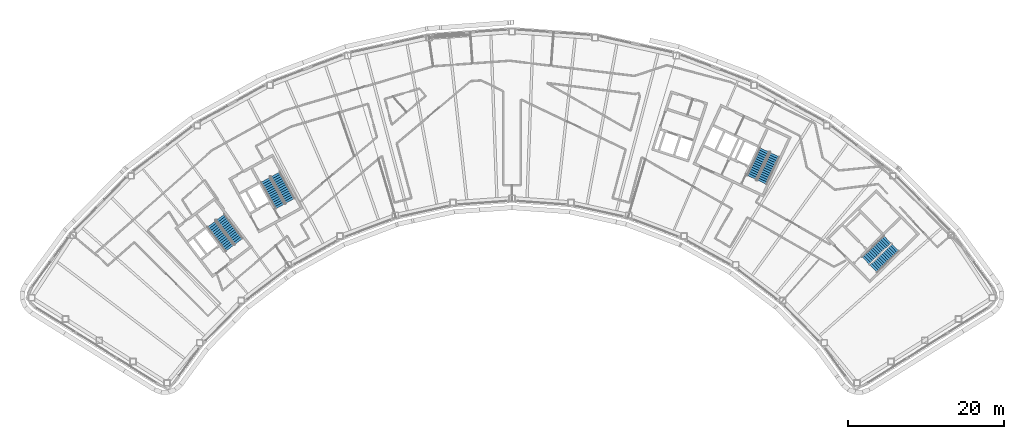
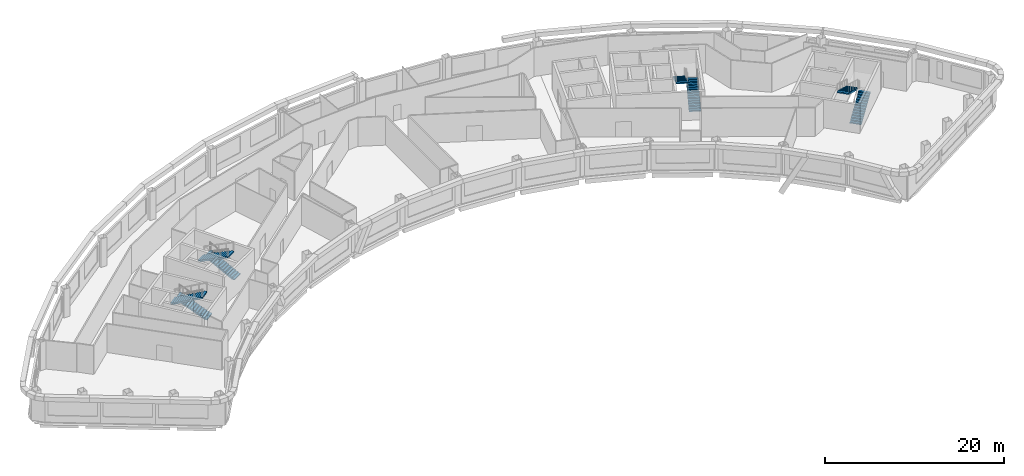
# One storey, part 11 of 13: 8 stair flights, 4 elements without a shape of their own.
"""IFC4 building model written with IfcOpenShell, lengths in metres."""

from ifc_helpers import new_model, si_unit, direction, frame, origin, place, context, subcontext, project, spatial, polyline, outline, extrude, material, type_object, element, aggregate, save


model = new_model("IFC4")

# Units and contexts
model_context = context("Model", 3, precision=1e-05, world=origin(), true_north=direction((0.0, 1.0)))
body_context = subcontext(model_context, "Body", "Model", "MODEL_VIEW")
ifc_project = project(units=[si_unit("LENGTHUNIT", "METRE"), si_unit("AREAUNIT", "SQUARE_METRE"), si_unit("VOLUMEUNIT", "CUBIC_METRE"), si_unit("PLANEANGLEUNIT", "RADIAN"), si_unit("MASSUNIT", "GRAM", prefix="KILO")], contexts=[model_context])

# Site, building, storey
site_placement = place(None, origin())
site = spatial("IfcSite", under=ifc_project, at=site_placement, CompositionType="ELEMENT")
building_placement = place(site_placement, origin())
building = spatial("IfcBuilding", under=site, at=building_placement, Name="Tuul Gate Civic Tower", CompositionType="ELEMENT")
storey_placement = place(building_placement, frame((0.0, 0.0, 340.699951171875)))
storey = spatial("IfcBuildingStorey", under=building, at=storey_placement, Name="Level 77", CompositionType="ELEMENT", Elevation=340.699951171875)

# Stair, stair flights
ifc_material_1 = material(Name="Concrete C40/50", Category="concrete")
stair_type = type_object("IfcStairType", Name="Exit stair", PredefinedType="HALF_TURN_STAIR", material=ifc_material_1)
stair_1_placement = place(storey_placement, origin())
stair_1 = element("IfcStair", 1, at=stair_1_placement, inside=storey, type_object=stair_type, Name="Level 77 ST-1", PredefinedType="HALF_TURN_STAIR")
ifc_material_2 = material(Name="Concrete C40/50", Category="concrete")
stair_flight_type = type_object("IfcStairFlightType", Name="Exit stair flight", PredefinedType="STRAIGHT", material=ifc_material_2)
stair_flight_1_placement = place(storey_placement, frame((-32.875244140625, -13.066650390625, 0.0), z_axis=(0.0, 0.0, 1.0), x_axis=(-0.605764474941, 0.795644016442, 0.0)))
stair_flight_1 = element("IfcStairFlight", 2, at=stair_flight_1_placement, type_object=stair_flight_type, Name="ST-1 flight 1", NumberOfRisers=14, NumberOfTreads=13, PredefinedType="STRAIGHT", RiserHeight=0.15, TreadLength=0.3, context=body_context, shape_type="SweptSolid", body=[
    extrude(outline(polyline([(0.0, 0.0), (0.0, 0.14990234375), (0.300048828125, 0.14990234375), (0.300048828125, 0.300048828125), (0.60009765625, 0.300048828125), (0.60009765625, 0.449951171875), (0.89990234375, 0.449951171875), (0.89990234375, 0.60009765625), (1.199951171875, 0.60009765625), (1.199951171875, 0.75), (1.5, 0.75), (1.5, 0.89990234375), (1.800048828125, 0.89990234375), (1.800048828125, 1.050048828125), (2.10009765625, 1.050048828125), (2.10009765625, 1.199951171875), (2.39990234375, 1.199951171875), (2.39990234375, 1.35009765625), (2.699951171875, 1.35009765625), (2.699951171875, 1.5), (3.0, 1.5), (3.0, 1.64990234375), (3.300048828125, 1.64990234375), (3.300048828125, 1.800048828125), (3.60009765625, 1.800048828125), (3.60009765625, 1.949951171875), (3.89990234375, 1.949951171875), (3.89990234375, 2.10009765625), (3.89990234375, 1.782470703125), (0.335205078125, 0.0), (0.0, 0.0)])), frame((0.0, 0.675048828125, 0.0), z_axis=(0.0, -1.0, 0.0), x_axis=(1.0, 0.0, 0.0)), (0.0, 0.0, 1.0), 1.35009765625),
])
stair_flight_2_placement = place(storey_placement, frame((-36.391357421875, -10.842041015625, 2.10009765625), z_axis=(0.0, 0.0, 1.0), x_axis=(0.605764474941, -0.795644016442, 0.0)))
stair_flight_2 = element("IfcStairFlight", 3, at=stair_flight_2_placement, type_object=stair_flight_type, Name="ST-1 flight 2", NumberOfRisers=14, NumberOfTreads=13, PredefinedType="STRAIGHT", RiserHeight=0.15, TreadLength=0.3, context=body_context, shape_type="SweptSolid", body=[
    extrude(outline(polyline([(0.0, 0.0), (0.0, 0.14990234375), (0.300048828125, 0.14990234375), (0.300048828125, 0.300048828125), (0.60009765625, 0.300048828125), (0.60009765625, 0.449951171875), (0.89990234375, 0.449951171875), (0.89990234375, 0.60009765625), (1.199951171875, 0.60009765625), (1.199951171875, 0.75), (1.5, 0.75), (1.5, 0.89990234375), (1.800048828125, 0.89990234375), (1.800048828125, 1.050048828125), (2.10009765625, 1.050048828125), (2.10009765625, 1.199951171875), (2.39990234375, 1.199951171875), (2.39990234375, 1.35009765625), (2.699951171875, 1.35009765625), (2.699951171875, 1.5), (3.0, 1.5), (3.0, 1.64990234375), (3.300048828125, 1.64990234375), (3.300048828125, 1.800048828125), (3.60009765625, 1.800048828125), (3.60009765625, 1.949951171875), (3.89990234375, 1.949951171875), (3.89990234375, 2.10009765625), (3.89990234375, 1.782470703125), (0.335205078125, 0.0), (0.0, 0.0)])), frame((0.0, 0.675048828125, 0.0), z_axis=(0.0, -1.0, 0.0), x_axis=(1.0, 0.0, 0.0)), (0.0, 0.0, 1.0), 1.35009765625),
])
aggregate(stair_1, [stair_flight_1, stair_flight_2])

stair_2_placement = place(storey_placement, origin())
stair_2 = element("IfcStair", 4, at=stair_2_placement, inside=storey, type_object=stair_type, Name="Level 77 ST-2", PredefinedType="HALF_TURN_STAIR")
stair_flight_3_placement = place(storey_placement, frame((-26.29150390625, -7.87646484375, 0.0), z_axis=(0.0, 0.0, 1.0), x_axis=(-0.484761763766, 0.874646232708, 0.0)))
stair_flight_3 = element("IfcStairFlight", 5, at=stair_flight_3_placement, type_object=stair_flight_type, Name="ST-2 flight 1", NumberOfRisers=14, NumberOfTreads=13, PredefinedType="STRAIGHT", RiserHeight=0.15, TreadLength=0.3, context=body_context, shape_type="SweptSolid", body=[
    extrude(outline(polyline([(0.0, 0.0), (0.0, 0.14990234375), (0.300048828125, 0.14990234375), (0.300048828125, 0.300048828125), (0.60009765625, 0.300048828125), (0.60009765625, 0.449951171875), (0.89990234375, 0.449951171875), (0.89990234375, 0.60009765625), (1.199951171875, 0.60009765625), (1.199951171875, 0.75), (1.5, 0.75), (1.5, 0.89990234375), (1.800048828125, 0.89990234375), (1.800048828125, 1.050048828125), (2.10009765625, 1.050048828125), (2.10009765625, 1.199951171875), (2.39990234375, 1.199951171875), (2.39990234375, 1.35009765625), (2.699951171875, 1.35009765625), (2.699951171875, 1.5), (3.0, 1.5), (3.0, 1.64990234375), (3.300048828125, 1.64990234375), (3.300048828125, 1.800048828125), (3.60009765625, 1.800048828125), (3.60009765625, 1.949951171875), (3.89990234375, 1.949951171875), (3.89990234375, 2.10009765625), (3.89990234375, 1.782470703125), (0.335205078125, 0.0), (0.0, 0.0)])), frame((0.0, 0.675048828125, 0.0), z_axis=(0.0, -1.0, 0.0), x_axis=(1.0, 0.0, 0.0)), (0.0, 0.0, 1.0), 1.35009765625),
])
stair_flight_4_placement = place(storey_placement, frame((-29.450439453125, -5.168212890625, 2.10009765625), z_axis=(0.0, 0.0, 1.0), x_axis=(0.484761763766, -0.874646232708, 0.0)))
stair_flight_4 = element("IfcStairFlight", 6, at=stair_flight_4_placement, type_object=stair_flight_type, Name="ST-2 flight 2", NumberOfRisers=14, NumberOfTreads=13, PredefinedType="STRAIGHT", RiserHeight=0.15, TreadLength=0.3, context=body_context, shape_type="SweptSolid", body=[
    extrude(outline(polyline([(0.0, 0.0), (0.0, 0.14990234375), (0.300048828125, 0.14990234375), (0.300048828125, 0.300048828125), (0.60009765625, 0.300048828125), (0.60009765625, 0.449951171875), (0.89990234375, 0.449951171875), (0.89990234375, 0.60009765625), (1.199951171875, 0.60009765625), (1.199951171875, 0.75), (1.5, 0.75), (1.5, 0.89990234375), (1.800048828125, 0.89990234375), (1.800048828125, 1.050048828125), (2.10009765625, 1.050048828125), (2.10009765625, 1.199951171875), (2.39990234375, 1.199951171875), (2.39990234375, 1.35009765625), (2.699951171875, 1.35009765625), (2.699951171875, 1.5), (3.0, 1.5), (3.0, 1.64990234375), (3.300048828125, 1.64990234375), (3.300048828125, 1.800048828125), (3.60009765625, 1.800048828125), (3.60009765625, 1.949951171875), (3.89990234375, 1.949951171875), (3.89990234375, 2.10009765625), (3.89990234375, 1.782470703125), (0.335205078125, 0.0), (0.0, 0.0)])), frame((0.0, 0.675048828125, 0.0), z_axis=(0.0, -1.0, 0.0), x_axis=(1.0, 0.0, 0.0)), (0.0, 0.0, 1.0), 1.35009765625),
])
aggregate(stair_2, [stair_flight_3, stair_flight_4])

stair_3_placement = place(storey_placement, origin())
stair_3 = element("IfcStair", 7, at=stair_3_placement, inside=storey, type_object=stair_type, Name="Level 77 ST-3", PredefinedType="HALF_TURN_STAIR")
stair_flight_5_placement = place(storey_placement, frame((48.61376953125, -16.581787109375, 0.0), z_axis=(0.0, 0.0, 1.0), x_axis=(0.714127290059, 0.700015866672, 0.0)))
stair_flight_5 = element("IfcStairFlight", 8, at=stair_flight_5_placement, type_object=stair_flight_type, Name="ST-3 flight 1", NumberOfRisers=14, NumberOfTreads=13, PredefinedType="STRAIGHT", RiserHeight=0.15, TreadLength=0.3, context=body_context, shape_type="SweptSolid", body=[
    extrude(outline(polyline([(0.0, 0.0), (0.0, 0.14990234375), (0.300048828125, 0.14990234375), (0.300048828125, 0.300048828125), (0.60009765625, 0.300048828125), (0.60009765625, 0.449951171875), (0.89990234375, 0.449951171875), (0.89990234375, 0.60009765625), (1.199951171875, 0.60009765625), (1.199951171875, 0.75), (1.5, 0.75), (1.5, 0.89990234375), (1.800048828125, 0.89990234375), (1.800048828125, 1.050048828125), (2.10009765625, 1.050048828125), (2.10009765625, 1.199951171875), (2.39990234375, 1.199951171875), (2.39990234375, 1.35009765625), (2.699951171875, 1.35009765625), (2.699951171875, 1.5), (3.0, 1.5), (3.0, 1.64990234375), (3.300048828125, 1.64990234375), (3.300048828125, 1.800048828125), (3.60009765625, 1.800048828125), (3.60009765625, 1.949951171875), (3.89990234375, 1.949951171875), (3.89990234375, 2.10009765625), (3.89990234375, 1.782470703125), (0.335205078125, 0.0), (0.0, 0.0)])), frame((0.0, 0.675048828125, 0.0), z_axis=(0.0, -1.0, 0.0), x_axis=(1.0, 0.0, 0.0)), (0.0, 0.0, 1.0), 1.35009765625),
])
stair_flight_6_placement = place(storey_placement, frame((50.3837890625, -12.816162109375, 2.10009765625), z_axis=(0.0, 0.0, 1.0), x_axis=(-0.714127290059, -0.700015866672, 0.0)))
stair_flight_6 = element("IfcStairFlight", 9, at=stair_flight_6_placement, type_object=stair_flight_type, Name="ST-3 flight 2", NumberOfRisers=14, NumberOfTreads=13, PredefinedType="STRAIGHT", RiserHeight=0.15, TreadLength=0.3, context=body_context, shape_type="SweptSolid", body=[
    extrude(outline(polyline([(0.0, 0.0), (0.0, 0.14990234375), (0.300048828125, 0.14990234375), (0.300048828125, 0.300048828125), (0.60009765625, 0.300048828125), (0.60009765625, 0.449951171875), (0.89990234375, 0.449951171875), (0.89990234375, 0.60009765625), (1.199951171875, 0.60009765625), (1.199951171875, 0.75), (1.5, 0.75), (1.5, 0.89990234375), (1.800048828125, 0.89990234375), (1.800048828125, 1.050048828125), (2.10009765625, 1.050048828125), (2.10009765625, 1.199951171875), (2.39990234375, 1.199951171875), (2.39990234375, 1.35009765625), (2.699951171875, 1.35009765625), (2.699951171875, 1.5), (3.0, 1.5), (3.0, 1.64990234375), (3.300048828125, 1.64990234375), (3.300048828125, 1.800048828125), (3.60009765625, 1.800048828125), (3.60009765625, 1.949951171875), (3.89990234375, 1.949951171875), (3.89990234375, 2.10009765625), (3.89990234375, 1.782470703125), (0.335205078125, 0.0), (0.0, 0.0)])), frame((0.0, 0.675048828125, 0.0), z_axis=(0.0, -1.0, 0.0), x_axis=(1.0, 0.0, 0.0)), (0.0, 0.0, 1.0), 1.35009765625),
])
aggregate(stair_3, [stair_flight_5, stair_flight_6])

stair_4_placement = place(storey_placement, origin())
stair_4 = element("IfcStair", 10, at=stair_4_placement, inside=storey, type_object=stair_type, Name="Level 77 ST-4", PredefinedType="HALF_TURN_STAIR")
stair_flight_7_placement = place(storey_placement, frame((34.278564453125, -5.478515625, 0.0), z_axis=(0.0, 0.0, 1.0), x_axis=(0.422576295988, 0.906327354806, 0.0)))
stair_flight_7 = element("IfcStairFlight", 11, at=stair_flight_7_placement, type_object=stair_flight_type, Name="ST-4 flight 1", NumberOfRisers=14, NumberOfTreads=13, PredefinedType="STRAIGHT", RiserHeight=0.15, TreadLength=0.3, context=body_context, shape_type="SweptSolid", body=[
    extrude(outline(polyline([(0.0, 0.0), (0.0, 0.14990234375), (0.300048828125, 0.14990234375), (0.300048828125, 0.300048828125), (0.60009765625, 0.300048828125), (0.60009765625, 0.449951171875), (0.89990234375, 0.449951171875), (0.89990234375, 0.60009765625), (1.199951171875, 0.60009765625), (1.199951171875, 0.75), (1.5, 0.75), (1.5, 0.89990234375), (1.800048828125, 0.89990234375), (1.800048828125, 1.050048828125), (2.10009765625, 1.050048828125), (2.10009765625, 1.199951171875), (2.39990234375, 1.199951171875), (2.39990234375, 1.35009765625), (2.699951171875, 1.35009765625), (2.699951171875, 1.5), (3.0, 1.5), (3.0, 1.64990234375), (3.300048828125, 1.64990234375), (3.300048828125, 1.800048828125), (3.60009765625, 1.800048828125), (3.60009765625, 1.949951171875), (3.89990234375, 1.949951171875), (3.89990234375, 2.10009765625), (3.89990234375, 1.782470703125), (0.335205078125, 0.0), (0.0, 0.0)])), frame((0.0, 0.675048828125, 0.0), z_axis=(0.0, -1.0, 0.0), x_axis=(1.0, 0.0, 0.0)), (0.0, 0.0, 1.0), 1.35009765625),
])
stair_flight_8_placement = place(storey_placement, frame((34.612548828125, -1.3310546875, 2.10009765625), z_axis=(0.0, 0.0, 1.0), x_axis=(-0.422576295988, -0.906327354806, 0.0)))
stair_flight_8 = element("IfcStairFlight", 12, at=stair_flight_8_placement, type_object=stair_flight_type, Name="ST-4 flight 2", NumberOfRisers=14, NumberOfTreads=13, PredefinedType="STRAIGHT", RiserHeight=0.15, TreadLength=0.3, context=body_context, shape_type="SweptSolid", body=[
    extrude(outline(polyline([(0.0, 0.0), (0.0, 0.14990234375), (0.300048828125, 0.14990234375), (0.300048828125, 0.300048828125), (0.60009765625, 0.300048828125), (0.60009765625, 0.449951171875), (0.89990234375, 0.449951171875), (0.89990234375, 0.60009765625), (1.199951171875, 0.60009765625), (1.199951171875, 0.75), (1.5, 0.75), (1.5, 0.89990234375), (1.800048828125, 0.89990234375), (1.800048828125, 1.050048828125), (2.10009765625, 1.050048828125), (2.10009765625, 1.199951171875), (2.39990234375, 1.199951171875), (2.39990234375, 1.35009765625), (2.699951171875, 1.35009765625), (2.699951171875, 1.5), (3.0, 1.5), (3.0, 1.64990234375), (3.300048828125, 1.64990234375), (3.300048828125, 1.800048828125), (3.60009765625, 1.800048828125), (3.60009765625, 1.949951171875), (3.89990234375, 1.949951171875), (3.89990234375, 2.10009765625), (3.89990234375, 1.782470703125), (0.335205078125, 0.0), (0.0, 0.0)])), frame((0.0, 0.675048828125, 0.0), z_axis=(0.0, -1.0, 0.0), x_axis=(1.0, 0.0, 0.0)), (0.0, 0.0, 1.0), 1.35009765625),
])
aggregate(stair_4, [stair_flight_7, stair_flight_8])

save(model, "model.ifc")
